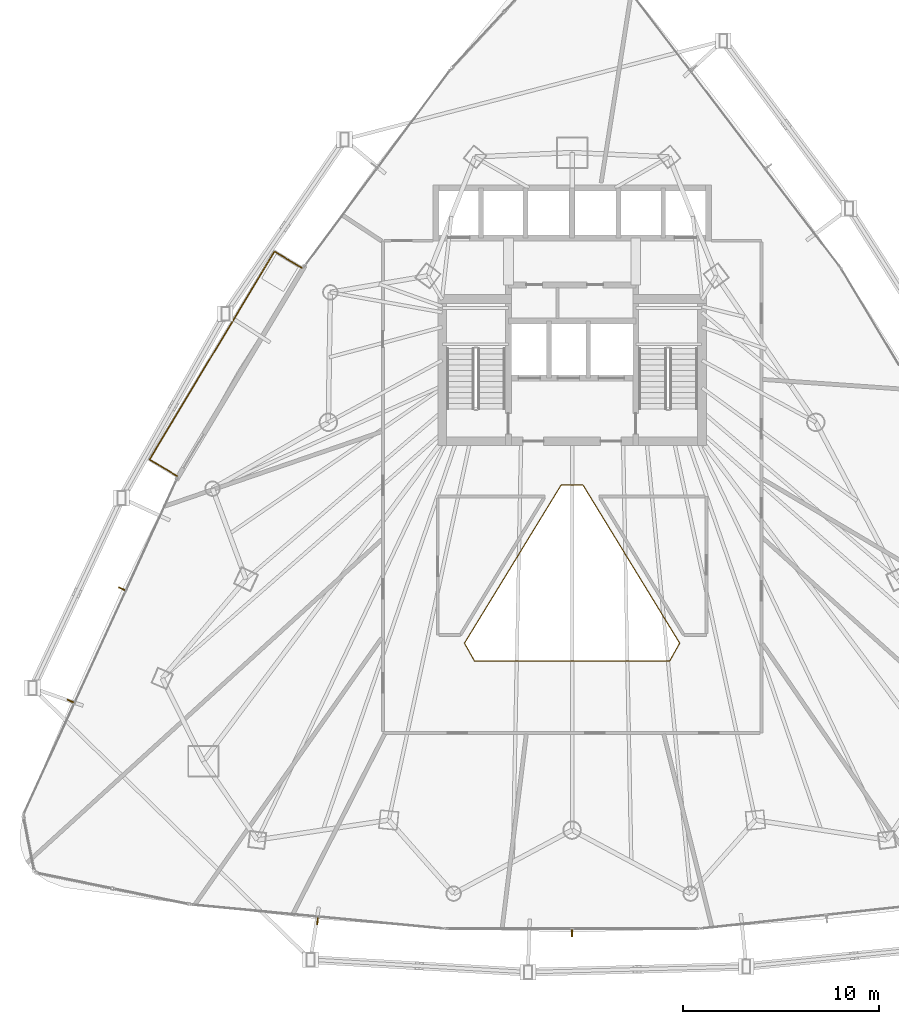
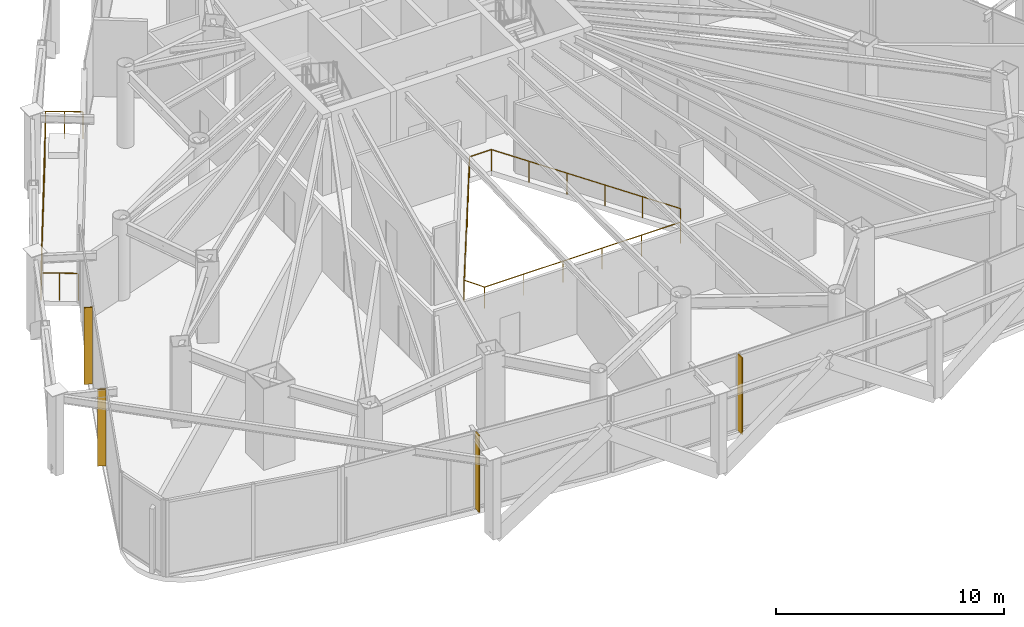
# One storey, part 30 of 33: 4 shading devices, 2 railings.
"""IFC4 building model written with IfcOpenShell, lengths in metres."""

from ifc_helpers import new_model, si_unit, direction, frame, origin, origin_2d, place, context, subcontext, project, spatial, rectangle, circle, extrude, material, layer, layer_set, type_object, element, save


model = new_model("IFC4")

# Units and contexts
model_context = context("Model", 3, precision=1e-05, world=origin(), true_north=direction((0.0, 1.0)))
body_context = subcontext(model_context, "Body", "Model", "MODEL_VIEW")
ifc_project = project(units=[si_unit("LENGTHUNIT", "METRE"), si_unit("AREAUNIT", "SQUARE_METRE"), si_unit("VOLUMEUNIT", "CUBIC_METRE"), si_unit("PLANEANGLEUNIT", "RADIAN"), si_unit("MASSUNIT", "GRAM", prefix="KILO")], contexts=[model_context])

# Site, building, storey
site_placement = place(None, origin())
site = spatial("IfcSite", under=ifc_project, at=site_placement, CompositionType="ELEMENT")
building_placement = place(site_placement, origin())
building = spatial("IfcBuilding", under=site, at=building_placement, Name="Orvanel Arch Residences", CompositionType="ELEMENT")
storey_placement = place(building_placement, frame((0.0, 0.0, 59.89990234375)))
storey = spatial("IfcBuildingStorey", under=building, at=storey_placement, Name="L16", CompositionType="ELEMENT", Elevation=59.89990234375)

# Shading devices
ifc_material = material(Name="Bronze-anodised aluminium AA6063-T6", Category="aluminium")
ifc_layer = layer(ifc_material, 0.06005859375)
ifc_layer_set = layer_set([ifc_layer], Name="Bronze-anodised aluminium AA6063-T6")
shading_device_type = type_object("IfcShadingDeviceType", Name="FIN-BRZ-380", PredefinedType="USERDEFINED", material=ifc_layer_set)
for number, where, z_axis, x_axis, name in (
    (1, (10.044921875, 19.14892578125, 0.0), (0.0, 0.0, 1.0), (-0.909236109047, 0.41628079226, 0.0), "L16 Anodised Bronze Mullion FIN 01"),
    (2, (7.427001953125, 13.425048828125, 0.0), (0.0, 0.0, 1.0), (-0.909236109047, 0.41628079226, 0.0), "L16 Anodised Bronze Mullion FIN 02"),
    (3, (20.02099609375, 2.208984375, 0.0), (0.0, 0.0, 1.0), (-0.094108313319, -0.995561964603, 0.0), "L16 Anodised Bronze Mullion FIN 01"),
    (4, (33.0, 1.593017578125, 0.0), (0.0, 0.0, 1.0), (0.0, -1.0, 0.0), "L16 Anodised Bronze Mullion FIN 01"),
):
    element("IfcShadingDevice", number, at=place(storey_placement, frame(where, z_axis=z_axis, x_axis=x_axis)), inside=storey, type_object=shading_device_type, Name=name, ObjectType="FIN", PredefinedType="USERDEFINED", context=body_context, shape_type="SweptSolid", body=[
        extrude(rectangle(XDim=0.3798828125, YDim=0.06005859375, at=origin_2d()), origin(), (0.0, 0.0, 1.0), 4.110107421875),
    ])

# Railings
railing_type_1 = type_object("IfcRailingType", Name="RL-ATR-1150", PredefinedType="BALUSTRADE", material=ifc_material)
railing_1_placement = place(storey_placement, frame((33.555908203125, 24.44091796875, 0.0)))
element("IfcRailing", 5, at=railing_1_placement, inside=storey, type_object=railing_type_1, Name="L16 Atrium Void Protective Balustrade", PredefinedType="BALUSTRADE", context=body_context, shape_type="SweptSolid", body=[
    extrude(circle(Radius=0.02392578125, at=origin_2d()), frame((-0.00146484375, 0.0, 1.1259765625), z_axis=(-1.0, 0.0, 0.0), x_axis=(0.0, -1.0, 0.0)), (0.0, 0.0, 1.0), 1.10888671875),
    extrude(circle(Radius=0.02392578125, at=origin_2d()), frame((-1.112548828125, -0.001220703125, 1.1259765625), z_axis=(-0.521590028939, -0.853196250409, 0.0), x_axis=(0.853196250409, -0.521590028939, 0.0)), (0.0, 0.0, 1.0), 9.447265625),
    extrude(circle(Radius=0.02392578125, at=origin_2d()), frame((-6.040283203125, -8.064208984375, 1.1259765625), z_axis=(0.489337886303, -0.872094279897, 0.0), x_axis=(0.872094279897, 0.489337886303, 0.0)), (0.0, 0.0, 1.0), 1.039306640625),
    extrude(circle(Radius=0.02392578125, at=origin_2d()), frame((-5.529541015625, -8.971923828125, 1.1259765625), z_axis=(1.0, 0.0, 0.0), x_axis=(0.0, 1.0, 0.0)), (0.0, 0.0, 1.0), 9.947265625),
    extrude(circle(Radius=0.02392578125, at=origin_2d()), frame((4.419921875, -8.970703125, 1.1259765625), z_axis=(0.489337886303, 0.872094279897, 0.0), x_axis=(-0.872094279897, 0.489337886303, 0.0)), (0.0, 0.0, 1.0), 1.039306640625),
    extrude(circle(Radius=0.02392578125, at=origin_2d()), frame((4.928466796875, -8.061767578125, 1.1259765625), z_axis=(-0.521590028939, 0.853196250409, 0.0), x_axis=(-0.853196250409, -0.521590028939, 0.0)), (0.0, 0.0, 1.0), 9.447265625),
    extrude(circle(Radius=0.02099609375, at=origin_2d()), origin(), (0.0, 0.0, 1.0), 1.099853515625),
    extrude(circle(Radius=0.02099609375, at=origin_2d()), frame((-1.11181640625, 0.0, 0.0)), (0.0, 0.0, 1.0), 1.099853515625),
    extrude(circle(Radius=0.02099609375, at=origin_2d()), frame((-2.09765625, -1.612548828125, 0.0)), (0.0, 0.0, 1.0), 1.099853515625),
    extrude(circle(Radius=0.02099609375, at=origin_2d()), frame((-3.08349609375, -3.22509765625, 0.0)), (0.0, 0.0, 1.0), 1.099853515625),
    extrude(circle(Radius=0.02099609375, at=origin_2d()), frame((-4.0693359375, -4.837890625, 0.0)), (0.0, 0.0, 1.0), 1.099853515625),
    extrude(circle(Radius=0.02099609375, at=origin_2d()), frame((-5.05517578125, -6.450439453125, 0.0)), (0.0, 0.0, 1.0), 1.099853515625),
    extrude(circle(Radius=0.02099609375, at=origin_2d()), frame((-6.041015625, -8.06298828125, 0.0)), (0.0, 0.0, 1.0), 1.099853515625),
    extrude(circle(Radius=0.02099609375, at=origin_2d()), frame((-5.531005859375, -8.971923828125, 0.0)), (0.0, 0.0, 1.0), 1.099853515625),
    extrude(circle(Radius=0.02099609375, at=origin_2d()), frame((-3.541015625, -8.971923828125, 0.0)), (0.0, 0.0, 1.0), 1.099853515625),
    extrude(circle(Radius=0.02099609375, at=origin_2d()), frame((-1.551025390625, -8.971923828125, 0.0)), (0.0, 0.0, 1.0), 1.099853515625),
    extrude(circle(Radius=0.02099609375, at=origin_2d()), frame((0.439208984375, -8.971923828125, 0.0)), (0.0, 0.0, 1.0), 1.099853515625),
    extrude(circle(Radius=0.02099609375, at=origin_2d()), frame((2.42919921875, -8.971923828125, 0.0)), (0.0, 0.0, 1.0), 1.099853515625),
    extrude(circle(Radius=0.02099609375, at=origin_2d()), frame((4.419189453125, -8.971923828125, 0.0)), (0.0, 0.0, 1.0), 1.099853515625),
    extrude(circle(Radius=0.02099609375, at=origin_2d()), frame((4.92919921875, -8.06298828125, 0.0)), (0.0, 0.0, 1.0), 1.099853515625),
    extrude(circle(Radius=0.02099609375, at=origin_2d()), frame((3.943359375, -6.450439453125, 0.0)), (0.0, 0.0, 1.0), 1.099853515625),
    extrude(circle(Radius=0.02099609375, at=origin_2d()), frame((2.95751953125, -4.837890625, 0.0)), (0.0, 0.0, 1.0), 1.099853515625),
    extrude(circle(Radius=0.02099609375, at=origin_2d()), frame((1.9716796875, -3.22509765625, 0.0)), (0.0, 0.0, 1.0), 1.099853515625),
    extrude(circle(Radius=0.02099609375, at=origin_2d()), frame((0.98583984375, -1.612548828125, 0.0)), (0.0, 0.0, 1.0), 1.099853515625),
])
railing_type_2 = type_object("IfcRailingType", Name="RL-BAL-1480", PredefinedType="BALUSTRADE", material=ifc_material)
railing_2_placement = place(storey_placement, frame((19.22509765625, 35.510986328125, 0.0)))
element("IfcRailing", 6, at=railing_2_placement, inside=storey, type_object=railing_type_2, Name="L16 Balcony Perimeter Guardrail Face 1", PredefinedType="BALUSTRADE", context=body_context, shape_type="SweptSolid", body=[
    extrude(circle(Radius=0.02392578125, at=origin_2d()), frame((-0.001220703125, 0.000732421875, 1.4560546875), z_axis=(-0.857387817543, 0.514670895164, 0.0), x_axis=(-0.514670895164, -0.857387817543, 0.0)), (0.0, 0.0, 1.0), 1.636962890625),
    extrude(circle(Radius=0.02392578125, at=origin_2d()), frame((-1.40673828125, 0.8427734375, 1.4560546875), z_axis=(-0.51440001848, -0.857550360613, 0.0), x_axis=(0.857550360613, -0.51440001848, 0.0)), (0.0, 0.0, 1.0), 12.373046875),
    extrude(circle(Radius=0.02392578125, at=origin_2d()), frame((-7.77099609375, -9.769775390625, 1.4560546875), z_axis=(0.857584807373, -0.514342588322, 0.0), x_axis=(0.514342588322, 0.857584807373, 0.0)), (0.0, 0.0, 1.0), 1.637939453125),
    extrude(circle(Radius=0.02099609375, at=origin_2d()), origin(), (0.0, 0.0, 1.0), 1.429931640625),
    extrude(circle(Radius=0.02099609375, at=origin_2d()), frame((-0.703125, 0.421875, 0.0)), (0.0, 0.0, 1.0), 1.429931640625),
    extrude(circle(Radius=0.02099609375, at=origin_2d()), frame((-1.406005859375, 0.843994140625, 0.0)), (0.0, 0.0, 1.0), 1.429931640625),
    extrude(circle(Radius=0.02099609375, at=origin_2d()), frame((-1.98486328125, -0.120849609375, 0.0)), (0.0, 0.0, 1.0), 1.429931640625),
    extrude(circle(Radius=0.02099609375, at=origin_2d()), frame((-2.5634765625, -1.085693359375, 0.0)), (0.0, 0.0, 1.0), 1.429931640625),
    extrude(circle(Radius=0.02099609375, at=origin_2d()), frame((-3.142333984375, -2.050537109375, 0.0)), (0.0, 0.0, 1.0), 1.429931640625),
    extrude(circle(Radius=0.02099609375, at=origin_2d()), frame((-3.720947265625, -3.015380859375, 0.0)), (0.0, 0.0, 1.0), 1.429931640625),
    extrude(circle(Radius=0.02099609375, at=origin_2d()), frame((-4.2998046875, -3.980224609375, 0.0)), (0.0, 0.0, 1.0), 1.429931640625),
    extrude(circle(Radius=0.02099609375, at=origin_2d()), frame((-4.87841796875, -4.94482421875, 0.0)), (0.0, 0.0, 1.0), 1.429931640625),
    extrude(circle(Radius=0.02099609375, at=origin_2d()), frame((-5.457275390625, -5.90966796875, 0.0)), (0.0, 0.0, 1.0), 1.429931640625),
    extrude(circle(Radius=0.02099609375, at=origin_2d()), frame((-6.035888671875, -6.87451171875, 0.0)), (0.0, 0.0, 1.0), 1.429931640625),
    extrude(circle(Radius=0.02099609375, at=origin_2d()), frame((-6.61474609375, -7.83935546875, 0.0)), (0.0, 0.0, 1.0), 1.429931640625),
    extrude(circle(Radius=0.02099609375, at=origin_2d()), frame((-7.193359375, -8.80419921875, 0.0)), (0.0, 0.0, 1.0), 1.429931640625),
    extrude(circle(Radius=0.02099609375, at=origin_2d()), frame((-7.772216796875, -9.76904296875, 0.0)), (0.0, 0.0, 1.0), 1.429931640625),
    extrude(circle(Radius=0.02099609375, at=origin_2d()), frame((-7.068603515625, -10.19091796875, 0.0)), (0.0, 0.0, 1.0), 1.429931640625),
    extrude(circle(Radius=0.02099609375, at=origin_2d()), frame((-6.364990234375, -10.613037109375, 0.0)), (0.0, 0.0, 1.0), 1.429931640625),
])

save(model, "model.ifc")
